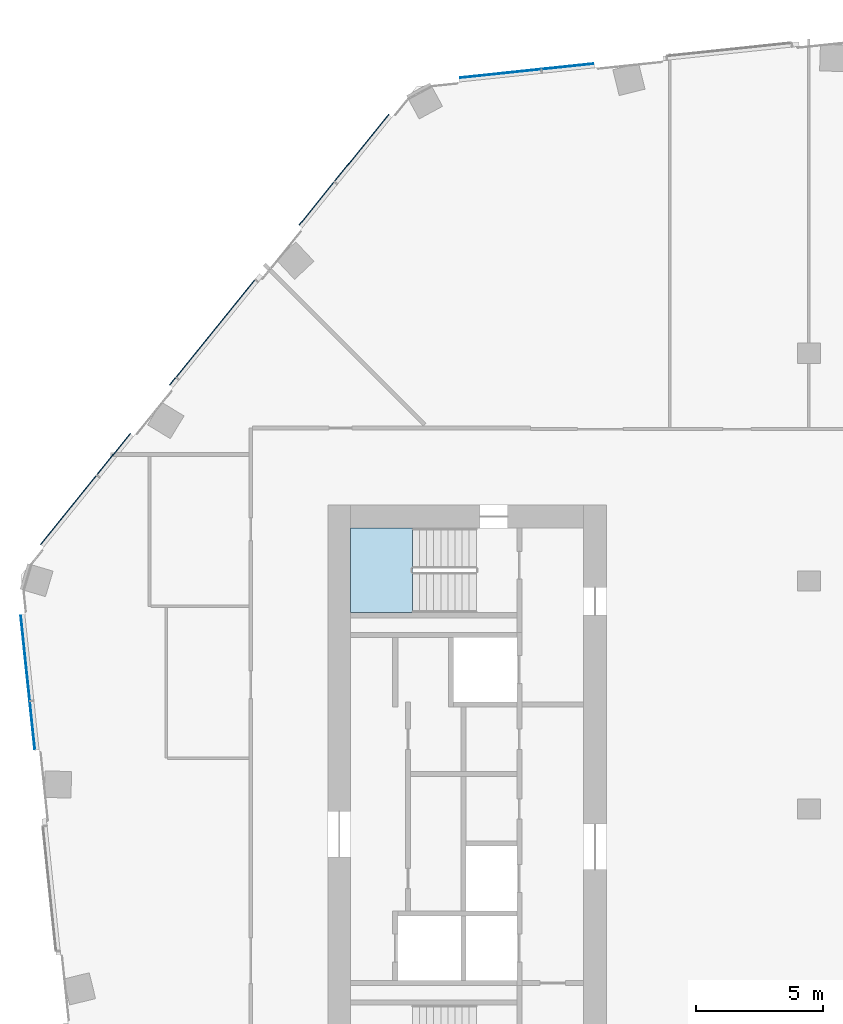
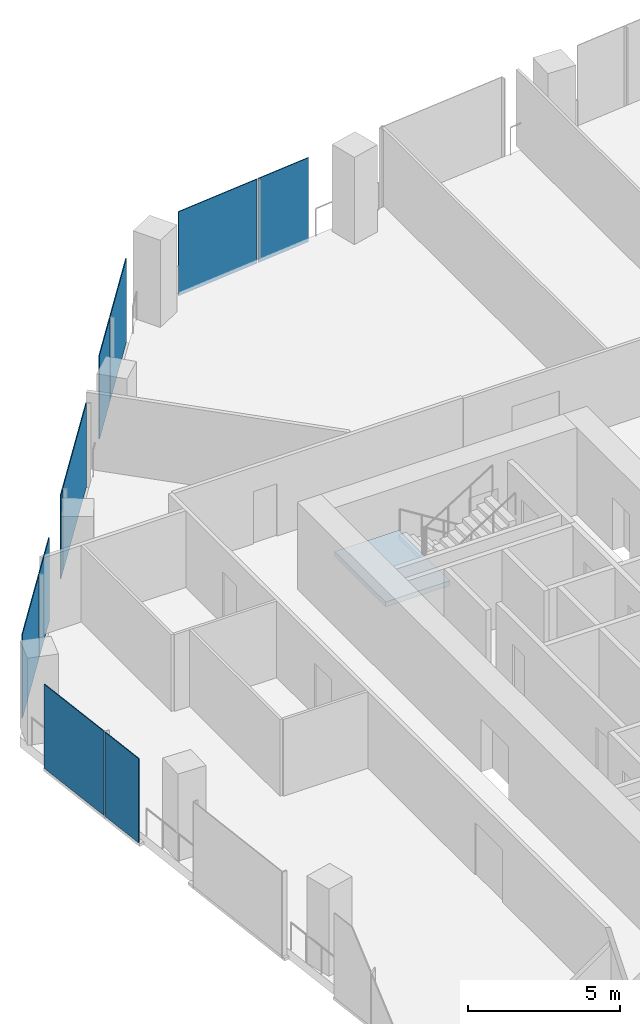
# One storey, part 13 of 24: 10 plates, 1 slab, 4 elements without a shape of their own.
"""IFC4 building model written with IfcOpenShell, lengths in metres."""

from ifc_helpers import new_model, si_unit, direction, frame, origin, origin_2d, place, context, subcontext, project, spatial, polyline, rectangle, outline, extrude, material, layer, layer_set, type_object, element, aggregate, save


model = new_model("IFC4")

# Units and contexts
model_context = context("Model", 3, precision=1e-05, world=origin(), true_north=direction((0.0, 1.0)))
body_context = subcontext(model_context, "Body", "Model", "MODEL_VIEW")
ifc_project = project(units=[si_unit("LENGTHUNIT", "METRE"), si_unit("AREAUNIT", "SQUARE_METRE"), si_unit("VOLUMEUNIT", "CUBIC_METRE"), si_unit("PLANEANGLEUNIT", "RADIAN"), si_unit("MASSUNIT", "GRAM", prefix="KILO")], contexts=[model_context])

# Site, building, storey
site_placement = place(None, origin())
site = spatial("IfcSite", under=ifc_project, at=site_placement, CompositionType="ELEMENT")
building_placement = place(site_placement, origin())
building = spatial("IfcBuilding", under=site, at=building_placement, Name="Orlundy Tower", CompositionType="ELEMENT")
storey_placement = place(building_placement, frame((0.0, 0.0, 210.5)))
storey = spatial("IfcBuildingStorey", under=building, at=storey_placement, Name="L55", CompositionType="ELEMENT", Elevation=210.5)

# Curtain wall, plates
ifc_material_1 = material(Name="Aluminium bronze anodised", Category="aluminium")
curtain_wall_type = type_object("IfcCurtainWallType", Name="CW1 wall", PredefinedType="NOTDEFINED", material=ifc_material_1)
curtain_wall_1_placement = place(storey_placement, origin())
curtain_wall_1 = element("IfcCurtainWall", 1, at=curtain_wall_1_placement, inside=storey, type_object=curtain_wall_type, Name="CW1 run 02", PredefinedType="NOTDEFINED")
ifc_material_2 = material(Name="Tinted glass", Category="glass")
ifc_layer_1 = layer(ifc_material_2, 0.031982421875)
ifc_layer_set_1 = layer_set([ifc_layer_1], Name="CW1 glass panel 32")
plate_type = type_object("IfcPlateType", Name="CW1 glass panel 32", PredefinedType="CURTAIN_PANEL", material=ifc_layer_set_1)
plate_1_placement = place(storey_placement, frame((-30.677490234375, 3.30078125, -0.280029296875), z_axis=(0.0, 0.0, 1.0), x_axis=(-0.104538162943, 0.994520875843, 0.0)))
plate_1 = element("IfcPlate", 2, at=plate_1_placement, type_object=plate_type, Name="CW1 panel", PredefinedType="CURTAIN_PANEL", context=body_context, shape_type="SweptSolid", body=[
    extrude(rectangle(XDim=1.88232421875, YDim=0.031982421875, at=origin_2d()), origin(), (0.0, 0.0, 1.0), 3.3798828125),
])
plate_2_placement = place(storey_placement, frame((-30.95654296875, 5.955322265625, -0.280029296875), z_axis=(0.0, 0.0, 1.0), x_axis=(-0.104538162943, 0.994520875843, 0.0)))
plate_2 = element("IfcPlate", 3, at=plate_2_placement, type_object=plate_type, Name="CW1 panel", PredefinedType="CURTAIN_PANEL", context=body_context, shape_type="SweptSolid", body=[
    extrude(rectangle(XDim=3.355712890625, YDim=0.031982421875, at=origin_2d()), origin(), (0.0, 0.0, 1.0), 3.3798828125),
])
aggregate(curtain_wall_1, [plate_1, plate_2])

curtain_wall_2_placement = place(storey_placement, origin())
curtain_wall_2 = element("IfcCurtainWall", 4, at=curtain_wall_2_placement, inside=storey, type_object=curtain_wall_type, Name="CW1 run 03", PredefinedType="NOTDEFINED")
plate_3_placement = place(storey_placement, frame((-29.25, 11.810546875, -0.280029296875), z_axis=(0.0, 0.0, 1.0), x_axis=(0.629320911043, 0.777145540374, 0.0)))
plate_3 = element("IfcPlate", 5, at=plate_3_placement, type_object=plate_type, Name="CW1 panel", PredefinedType="CURTAIN_PANEL", context=body_context, shape_type="SweptSolid", body=[
    extrude(rectangle(XDim=3.49560546875, YDim=0.031982421875, at=origin_2d()), origin(), (0.0, 0.0, 1.0), 3.3798828125),
])
plate_4_placement = place(storey_placement, frame((-27.461181640625, 14.019287109375, -0.280029296875), z_axis=(0.0, 0.0, 1.0), x_axis=(0.629320911043, 0.777145540374, 0.0)))
plate_4 = element("IfcPlate", 6, at=plate_4_placement, type_object=plate_type, Name="CW1 panel", PredefinedType="CURTAIN_PANEL", context=body_context, shape_type="SweptSolid", body=[
    extrude(rectangle(XDim=2.0888671875, YDim=0.031982421875, at=origin_2d()), origin(), (0.0, 0.0, 1.0), 3.3798828125),
])
plate_5_placement = place(storey_placement, frame((-25.13671875, 16.889892578125, -0.280029296875), z_axis=(0.0, 0.0, 1.0), x_axis=(0.629320911043, 0.777145540374, 0.0)))
plate_5 = element("IfcPlate", 7, at=plate_5_placement, type_object=plate_type, Name="CW1 panel", PredefinedType="CURTAIN_PANEL", context=body_context, shape_type="SweptSolid", body=[
    extrude(rectangle(XDim=0.365234375, YDim=0.031982421875, at=origin_2d()), origin(), (0.0, 0.0, 1.0), 3.3798828125),
])
plate_6_placement = place(storey_placement, frame((-23.44189453125, 18.982666015625, -0.280029296875), z_axis=(0.0, 0.0, 1.0), x_axis=(0.629320911043, 0.777145540374, 0.0)))
plate_6 = element("IfcPlate", 8, at=plate_6_placement, type_object=plate_type, Name="CW1 panel", PredefinedType="CURTAIN_PANEL", context=body_context, shape_type="SweptSolid", body=[
    extrude(rectangle(XDim=4.920654296875, YDim=0.031982421875, at=origin_2d()), origin(), (0.0, 0.0, 1.0), 3.3798828125),
])
plate_7_placement = place(storey_placement, frame((-19.45361328125, 23.90771484375, -0.280029296875), z_axis=(0.0, 0.0, 1.0), x_axis=(0.629320911043, 0.777145540374, 0.0)))
plate_7 = element("IfcPlate", 9, at=plate_7_placement, type_object=plate_type, Name="CW1 panel", PredefinedType="CURTAIN_PANEL", context=body_context, shape_type="SweptSolid", body=[
    extrude(rectangle(XDim=2.1875, YDim=0.031982421875, at=origin_2d()), origin(), (0.0, 0.0, 1.0), 3.3798828125),
])
plate_8_placement = place(storey_placement, frame((-17.666015625, 26.115478515625, -0.280029296875), z_axis=(0.0, 0.0, 1.0), x_axis=(0.629320911043, 0.777145540374, 0.0)))
plate_8 = element("IfcPlate", 10, at=plate_8_placement, type_object=plate_type, Name="CW1 panel", PredefinedType="CURTAIN_PANEL", context=body_context, shape_type="SweptSolid", body=[
    extrude(rectangle(XDim=3.39404296875, YDim=0.031982421875, at=origin_2d()), origin(), (0.0, 0.0, 1.0), 3.3798828125),
])
aggregate(curtain_wall_2, [plate_3, plate_4, plate_5, plate_6, plate_7, plate_8])

curtain_wall_3_placement = place(storey_placement, origin())
curtain_wall_3 = element("IfcCurtainWall", 11, at=curtain_wall_3_placement, inside=storey, type_object=curtain_wall_type, Name="CW1 run 04", PredefinedType="NOTDEFINED")
plate_9_placement = place(storey_placement, frame((-12.181396484375, 29.050048828125, -0.280029296875), z_axis=(0.0, 0.0, 1.0), x_axis=(0.994520875843, 0.104538162943, 0.0)))
plate_9 = element("IfcPlate", 12, at=plate_9_placement, type_object=plate_type, Name="CW1 panel", PredefinedType="CURTAIN_PANEL", context=body_context, shape_type="SweptSolid", body=[
    extrude(rectangle(XDim=3.194580078125, YDim=0.031982421875, at=origin_2d()), origin(), (0.0, 0.0, 1.0), 3.3798828125),
])
plate_10_placement = place(storey_placement, frame((-9.52685546875, 29.3291015625, -0.280029296875), z_axis=(0.0, 0.0, 1.0), x_axis=(0.994520875843, 0.104538162943, 0.0)))
plate_10 = element("IfcPlate", 13, at=plate_10_placement, type_object=plate_type, Name="CW1 panel", PredefinedType="CURTAIN_PANEL", context=body_context, shape_type="SweptSolid", body=[
    extrude(rectangle(XDim=2.04345703125, YDim=0.031982421875, at=origin_2d()), origin(), (0.0, 0.0, 1.0), 3.3798828125),
])
aggregate(curtain_wall_3, [plate_9, plate_10])

# Stair, slab
ifc_material_3 = material(Name="Concrete C50/60", Category="concrete")
stair_type = type_object("IfcStairType", Name="Exit Stair 20 risers", PredefinedType="HALF_TURN_STAIR", material=ifc_material_3)
stair_placement = place(storey_placement, origin())
stair = element("IfcStair", 14, at=stair_placement, inside=storey, type_object=stair_type, Name="L55 Exit Stair ST-W1", PredefinedType="HALF_TURN_STAIR")
ifc_material_4 = material(Name="Concrete C50/60", Category="concrete")
ifc_layer_2 = layer(ifc_material_4, 0.199951171875)
ifc_layer_set_2 = layer_set([ifc_layer_2], Name="Exit Stair Landing")
slab_type = type_object("IfcSlabType", Name="Exit Stair Landing", PredefinedType="LANDING", material=ifc_layer_set_2)
slab_placement = place(storey_placement, frame((0.0, 0.0, 1.550048828125)))
slab = element("IfcSlab", 15, at=slab_placement, type_object=slab_type, Name="ST-W1 landing 1", PredefinedType="LANDING", context=body_context, shape_type="SweptSolid", body=[
    extrude(outline(polyline([(-15.659912109375, 11.10009765625), (-18.10009765625, 11.10009765625), (-18.10009765625, 7.75), (-15.659912109375, 7.75), (-15.659912109375, 11.10009765625)])), origin(), (0.0, 0.0, 1.0), 0.199951171875),
])
aggregate(stair, [slab])

save(model, "model.ifc")
